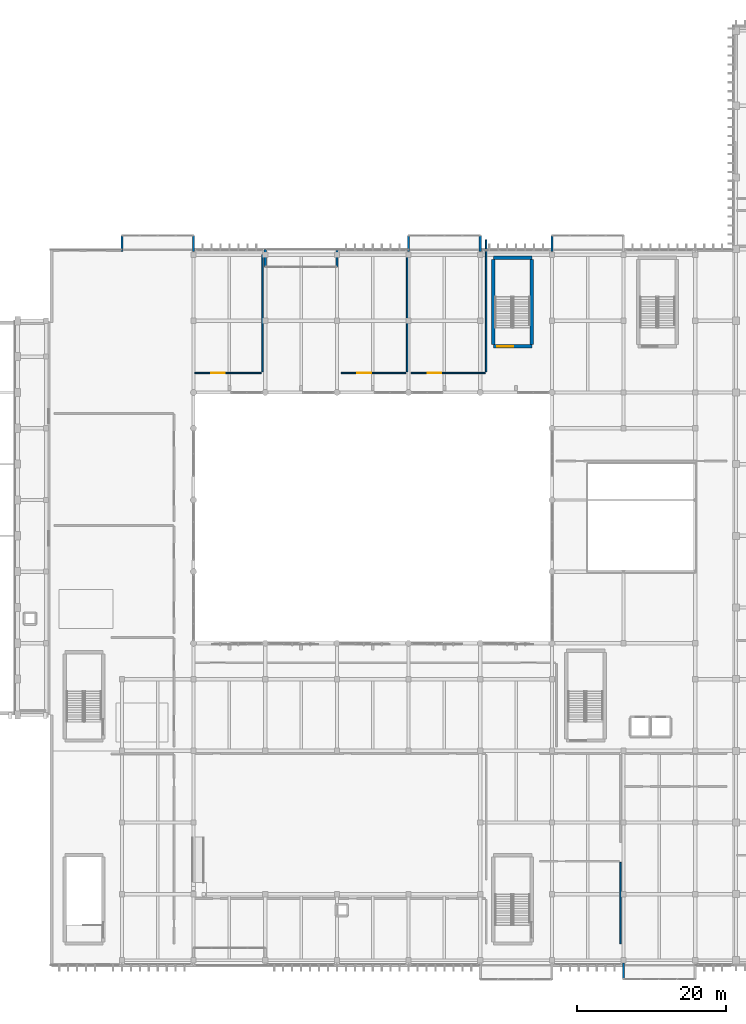
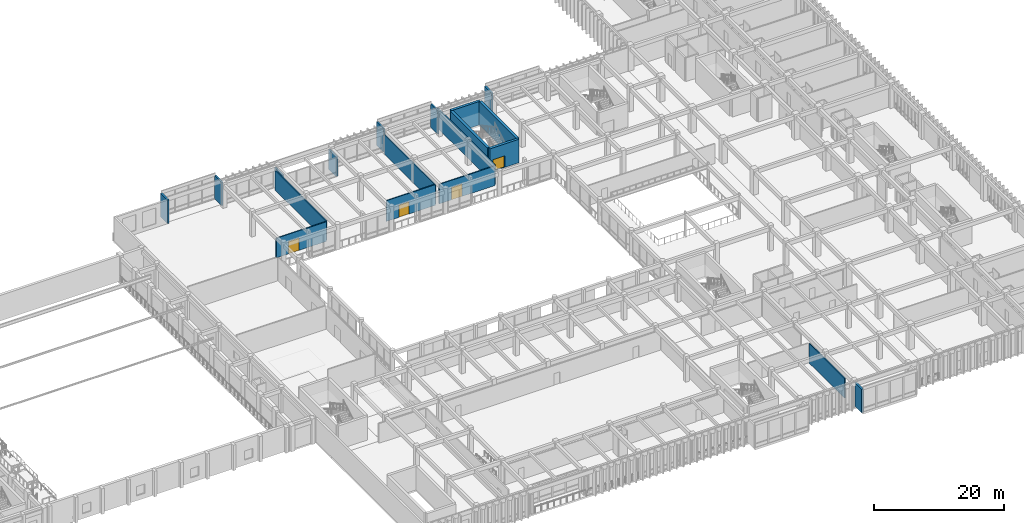
# One storey, part 102 of 133: 19 walls, 4 doors, 4 openings.
"""IFC4 building model written with IfcOpenShell, lengths in metres."""

from ifc_helpers import new_model, si_unit, direction, frame, frame_2d, origin, place, context, subcontext, project, spatial, rectangle, extrude, material, layer, layer_set, type_object, element, fill, save


model = new_model("IFC4")

# Units and contexts
model_context = context("Model", 3, precision=1e-05, world=origin(), true_north=direction((0.0, 1.0)))
body_context = subcontext(model_context, "Body", "Model", "MODEL_VIEW")
ifc_project = project(units=[si_unit("LENGTHUNIT", "METRE"), si_unit("AREAUNIT", "SQUARE_METRE"), si_unit("VOLUMEUNIT", "CUBIC_METRE"), si_unit("PLANEANGLEUNIT", "RADIAN"), si_unit("MASSUNIT", "GRAM", prefix="KILO")], contexts=[model_context])

# Site, building, storey
site_placement = place(None, origin())
site = spatial("IfcSite", under=ifc_project, at=site_placement, CompositionType="ELEMENT")
building_placement = place(site_placement, origin())
building = spatial("IfcBuilding", under=site, at=building_placement, Name="Nakhvara Creek Congress Hotel", CompositionType="ELEMENT")
storey_placement = place(building_placement, frame((0.0, 0.0, 11.39990234375)))
storey = spatial("IfcBuildingStorey", under=building, at=storey_placement, Name="L02", CompositionType="ELEMENT", Elevation=11.39990234375)

# Walls
ifc_material_1 = material(Name="Champagne-bronze anodised aluminium cassette", Category="aluminium")
ifc_layer_1 = layer(ifc_material_1, 0.030029296875)
ifc_material_2 = material(Name="Mineral wool thermal insulation")
ifc_layer_2 = layer(ifc_material_2, 0.10009765625)
ifc_material_3 = material(Name="Precast concrete C40/50", Category="concrete")
ifc_layer_3 = layer(ifc_material_3, 0.169921875)
ifc_layer_set_1 = layer_set([ifc_layer_1, ifc_layer_2, ifc_layer_3], Name="Precast concrete C40/50")
wall_type_1 = type_object("IfcWallType", Name="W-BOX-300", PredefinedType="SOLIDWALL", material=ifc_layer_set_1)
for number, where, z_axis, x_axis, name in (
    (1, (67.199951171875, 95.64990234375, 0.0), (0.0, 0.0, 1.0), (0.0, 1.0, 0.0), "Exterior Wall WE06-EW-L02-0068"),
    (2, (76.800048828125, 97.800048828125, 0.0), (0.0, 0.0, 1.0), (0.0, -1.0, 0.0), "Exterior Wall WE06-EW-L02-0069"),
    (3, (105.60009765625, 95.64990234375, 0.0), (0.0, 0.0, 1.0), (0.0, 1.0, 0.0), "Exterior Wall WE06-EW-L02-0070"),
    (4, (115.199951171875, 97.800048828125, 0.0), (0.0, 0.0, 1.0), (0.0, -1.0, 0.0), "Exterior Wall WE06-EW-L02-0071"),
    (5, (124.800048828125, 95.64990234375, 0.0), (0.0, 0.0, 1.0), (0.0, 1.0, 0.0), "Exterior Wall WE06-EW-L02-0072"),
):
    element("IfcWall", number, at=place(storey_placement, frame(where, z_axis=z_axis, x_axis=x_axis)), inside=storey, type_object=wall_type_1, Name=name, PredefinedType="SOLIDWALL", context=body_context, shape_type="SweptSolid", body=[
        extrude(rectangle(XDim=2.150146484375, YDim=0.300048828125, at=frame_2d((1.0751953125, 0.0))), origin(), (0.0, 0.0, 1.0), 4.420166015625),
    ])
for number, where, z_axis, x_axis, name in (
    (6, (86.39990234375, 95.949951171875, 0.0), (0.0, 0.0, 1.0), (0.0, -1.0, 0.0), "Exterior Wall WE06-EW-L02-0074"),
    (7, (96.0, 93.60009765625, 0.0), (0.0, 0.0, 1.0), (0.0, 1.0, 0.0), "Exterior Wall WE06-EW-L02-0075"),
):
    element("IfcWall", number, at=place(storey_placement, frame(where, z_axis=z_axis, x_axis=x_axis)), inside=storey, type_object=wall_type_1, Name=name, PredefinedType="SOLIDWALL", context=body_context, shape_type="SweptSolid", body=[
        extrude(rectangle(XDim=2.349853515625, YDim=0.300048828125, at=frame_2d((1.1748046875, 0.0))), origin(), (0.0, 0.0, 1.0), 3.692138671875),
    ])
wall_1_placement = place(storey_placement, frame((134.39990234375, -1.800048828125, 0.0), z_axis=(0.0, 0.0, 1.0), x_axis=(0.0, 1.0, 0.0)))
element("IfcWall", 8, at=wall_1_placement, inside=storey, type_object=wall_type_1, Name="Exterior Wall WE06-EW-L02-0082", PredefinedType="SOLIDWALL", context=body_context, shape_type="SweptSolid", body=[
    extrude(rectangle(XDim=2.150146484375, YDim=0.300048828125, at=frame_2d((1.0751953125, 0.0))), origin(), (0.0, 0.0, 1.0), 4.420166015625),
])

# Wall, opening, door
ifc_material_4 = material(Name="Concrete C50/60", Category="concrete")
ifc_layer_4 = layer(ifc_material_4, 0.449951171875)
ifc_layer_set_2 = layer_set([ifc_layer_4], Name="Concrete C50/60")
wall_type_2 = type_object("IfcWallType", Name="W-CORE-450", PredefinedType="SHEAR", material=ifc_layer_set_2)
wall_2_placement = place(storey_placement, frame((116.949951171875, 82.97998046875, 0.0), z_axis=(0.0, 0.0, 1.0), x_axis=(1.0, 0.0, 0.0)))
wall_2 = element("IfcWall", 9, at=wall_2_placement, inside=storey, type_object=wall_type_2, Name="Core Shear Wall WS02-CWALL-L02-0903", PredefinedType="SHEAR", context=body_context, shape_type="SweptSolid", body=[
    extrude(rectangle(XDim=5.150146484375, YDim=0.449951171875, at=frame_2d((2.5751953125, 0.0))), origin(), (0.0, 0.0, 1.0), 4.420166015625),
])
opening_1_placement = place(wall_2_placement, frame((0.550048828125, 0.0, 0.0)))
opening_1 = element("IfcOpeningElement", 10, at=opening_1_placement, cuts=wall_2, Name="Opening FD19", PredefinedType="OPENING", context=body_context, shape_type="SweptSolid", body=[
    extrude(rectangle(XDim=2.10009765625, YDim=2.199951171875, at=frame_2d((1.050048828125, 1.10009765625))), frame((0.0, 0.23681640625, 0.0), z_axis=(0.0, -1.0, 0.0), x_axis=(1.0, 0.0, 0.0)), (0.0, 0.0, 1.0), 0.473876953125),
])
ifc_material_5 = material(Name="Galvanised steel acoustic fire door", Category="steel")
door_type_1 = type_object("IfcDoorType", Name="DT-STAIR-220", OperationType="DOUBLE_DOOR_SINGLE_SWING", PredefinedType="DOOR", material=ifc_material_5)
door_1_placement = place(opening_1_placement, frame((2.10009765625, 0.0, 0.0), z_axis=(0.0, 0.0, 1.0), x_axis=(-1.0, 0.0, 0.0)))
door_1 = element("IfcDoor", 11, at=door_1_placement, inside=storey, type_object=door_type_1, Name="Stair Exit Door ST09-L02", OperationType="DOUBLE_DOOR_SINGLE_SWING", OverallHeight=2.199951171875, OverallWidth=2.10009765625, PredefinedType="DOOR", context=body_context, shape_type="SweptSolid", body=[
    extrude(rectangle(XDim=2.10009765625, YDim=2.199951171875, at=frame_2d((1.050048828125, 1.10009765625))), frame((0.0, 0.02490234375, 0.0), z_axis=(0.0, -1.0, 0.0), x_axis=(1.0, 0.0, 0.0)), (0.0, 0.0, 1.0), 0.050048828125),
])
fill(opening_1, door_1)

# Walls
wall_3_placement = place(storey_placement, frame((116.949951171875, 94.820068359375, 0.0), z_axis=(0.0, 0.0, 1.0), x_axis=(1.0, 0.0, 0.0)))
element("IfcWall", 12, at=wall_3_placement, inside=storey, type_object=wall_type_2, Name="Core Shear Wall WS02-CWALL-L02-0904", PredefinedType="SHEAR", context=body_context, shape_type="SweptSolid", body=[
    extrude(rectangle(XDim=5.150146484375, YDim=0.449951171875, at=frame_2d((2.5751953125, 0.0))), origin(), (0.0, 0.0, 1.0), 4.420166015625),
])
for number, where, z_axis, x_axis, name in (
    (13, (116.949951171875, 83.199951171875, 0.0), (0.0, 0.0, 1.0), (0.0, 1.0, 0.0), "Core Shear Wall WS02-CWALL-L02-0905"),
    (14, (122.10009765625, 83.199951171875, 0.0), (0.0, 0.0, 1.0), (0.0, 1.0, 0.0), "Core Shear Wall WS02-CWALL-L02-0906"),
):
    element("IfcWall", number, at=place(storey_placement, frame(where, z_axis=z_axis, x_axis=x_axis)), inside=storey, type_object=wall_type_2, Name=name, PredefinedType="SHEAR", context=body_context, shape_type="SweptSolid", body=[
        extrude(rectangle(XDim=11.400146484375, YDim=0.449951171875, at=frame_2d((5.7001953125, 0.0))), origin(), (0.0, 0.0, 1.0), 4.420166015625),
    ])

# Wall, opening, door
ifc_material_6 = material(Name="Gypsum acoustic board on steel stud", Category="steel")
ifc_layer_5 = layer(ifc_material_6, 0.179931640625)
ifc_layer_set_3 = layer_set([ifc_layer_5], Name="Gypsum acoustic board on steel stud")
wall_type_3 = type_object("IfcWallType", Name="W-MEET-180", PredefinedType="PARTITIONING", material=ifc_layer_set_3)
wall_4_placement = place(storey_placement, frame((76.949951171875, 79.39990234375, 0.0), z_axis=(0.0, 0.0, 1.0), x_axis=(1.0, 0.0, 0.0)))
wall_4 = element("IfcWall", 15, at=wall_4_placement, inside=storey, type_object=wall_type_3, Name="Interior Wall WP13-IW-L02-0132", PredefinedType="PARTITIONING", context=body_context, shape_type="SweptSolid", body=[
    extrude(rectangle(XDim=8.900146484375, YDim=0.179931640625, at=frame_2d((4.4501953125, 0.0))), origin(), (0.0, 0.0, 1.0), 3.692138671875),
])
opening_2_placement = place(wall_4_placement, frame((2.199951171875, 0.0, 0.0)))
opening_2 = element("IfcOpeningElement", 16, at=opening_2_placement, cuts=wall_4, Name="Opening MD01", PredefinedType="OPENING", context=body_context, shape_type="SweptSolid", body=[
    extrude(rectangle(XDim=1.85009765625, YDim=2.35009765625, at=frame_2d((0.925048828125, 1.175048828125))), frame((0.0, 0.10205078125, 0.0), z_axis=(0.0, -1.0, 0.0), x_axis=(1.0, 0.0, 0.0)), (0.0, 0.0, 1.0), 0.203857421875),
])
ifc_material_7 = material(Name="Acoustic walnut timber double door", Category="wood")
door_type_2 = type_object("IfcDoorType", Name="DT-MEET-185", OperationType="DOUBLE_DOOR_SINGLE_SWING", PredefinedType="DOOR", material=ifc_material_7)
door_2_placement = place(opening_2_placement, frame((1.85009765625, 0.0, 0.0), z_axis=(0.0, 0.0, 1.0), x_axis=(-1.0, 0.0, 0.0)))
door_2 = element("IfcDoor", 17, at=door_2_placement, inside=storey, type_object=door_type_2, Name="Interior Door MD01-0132", OperationType="DOUBLE_DOOR_SINGLE_SWING", OverallHeight=2.35009765625, OverallWidth=1.85009765625, PredefinedType="DOOR", context=body_context, shape_type="SweptSolid", body=[
    extrude(rectangle(XDim=1.85009765625, YDim=2.35009765625, at=frame_2d((0.925048828125, 1.175048828125))), frame((0.0, 0.02490234375, 0.0), z_axis=(0.0, -1.0, 0.0), x_axis=(1.0, 0.0, 0.0)), (0.0, 0.0, 1.0), 0.050048828125),
])
fill(opening_2, door_2)

wall_5_placement = place(storey_placement, frame((96.550048828125, 79.39990234375, 0.0), z_axis=(0.0, 0.0, 1.0), x_axis=(1.0, 0.0, 0.0)))
wall_5 = element("IfcWall", 18, at=wall_5_placement, inside=storey, type_object=wall_type_3, Name="Interior Wall WP13-IW-L02-0134", PredefinedType="PARTITIONING", context=body_context, shape_type="SweptSolid", body=[
    extrude(rectangle(XDim=8.699951171875, YDim=0.179931640625, at=frame_2d((4.35009765625, 0.0))), origin(), (0.0, 0.0, 1.0), 3.89208984375),
])
opening_3_placement = place(wall_5_placement, frame((2.199951171875, 0.0, 0.0)))
opening_3 = element("IfcOpeningElement", 19, at=opening_3_placement, cuts=wall_5, Name="Opening MD01", PredefinedType="OPENING", context=body_context, shape_type="SweptSolid", body=[
    extrude(rectangle(XDim=1.85009765625, YDim=2.35009765625, at=frame_2d((0.925048828125, 1.175048828125))), frame((0.0, 0.10205078125, 0.0), z_axis=(0.0, -1.0, 0.0), x_axis=(1.0, 0.0, 0.0)), (0.0, 0.0, 1.0), 0.203857421875),
])
door_3_placement = place(opening_3_placement, frame((1.85009765625, 0.0, 0.0), z_axis=(0.0, 0.0, 1.0), x_axis=(-1.0, 0.0, 0.0)))
door_3 = element("IfcDoor", 20, at=door_3_placement, inside=storey, type_object=door_type_2, Name="Interior Door MD01-0133", OperationType="DOUBLE_DOOR_SINGLE_SWING", OverallHeight=2.35009765625, OverallWidth=1.85009765625, PredefinedType="DOOR", context=body_context, shape_type="SweptSolid", body=[
    extrude(rectangle(XDim=1.85009765625, YDim=2.35009765625, at=frame_2d((0.925048828125, 1.175048828125))), frame((0.0, 0.02490234375, 0.0), z_axis=(0.0, -1.0, 0.0), x_axis=(1.0, 0.0, 0.0)), (0.0, 0.0, 1.0), 0.050048828125),
])
fill(opening_3, door_3)

wall_6_placement = place(storey_placement, frame((105.949951171875, 79.39990234375, 0.0), z_axis=(0.0, 0.0, 1.0), x_axis=(1.0, 0.0, 0.0)))
wall_6 = element("IfcWall", 21, at=wall_6_placement, inside=storey, type_object=wall_type_3, Name="Interior Wall WP13-IW-L02-0136", PredefinedType="PARTITIONING", context=body_context, shape_type="SweptSolid", body=[
    extrude(rectangle(XDim=9.900146484375, YDim=0.179931640625, at=frame_2d((4.9501953125, 0.0))), origin(), (0.0, 0.0, 1.0), 3.692138671875),
])
opening_4_placement = place(wall_6_placement, frame((2.199951171875, 0.0, 0.0)))
opening_4 = element("IfcOpeningElement", 22, at=opening_4_placement, cuts=wall_6, Name="Opening MD01", PredefinedType="OPENING", context=body_context, shape_type="SweptSolid", body=[
    extrude(rectangle(XDim=1.85009765625, YDim=2.35009765625, at=frame_2d((0.925048828125, 1.175048828125))), frame((0.0, 0.10205078125, 0.0), z_axis=(0.0, -1.0, 0.0), x_axis=(1.0, 0.0, 0.0)), (0.0, 0.0, 1.0), 0.203857421875),
])
door_4_placement = place(opening_4_placement, frame((1.85009765625, 0.0, 0.0), z_axis=(0.0, 0.0, 1.0), x_axis=(-1.0, 0.0, 0.0)))
door_4 = element("IfcDoor", 23, at=door_4_placement, inside=storey, type_object=door_type_2, Name="Interior Door MD01-0134", OperationType="DOUBLE_DOOR_SINGLE_SWING", OverallHeight=2.35009765625, OverallWidth=1.85009765625, PredefinedType="DOOR", context=body_context, shape_type="SweptSolid", body=[
    extrude(rectangle(XDim=1.85009765625, YDim=2.35009765625, at=frame_2d((0.925048828125, 1.175048828125))), frame((0.0, 0.02490234375, 0.0), z_axis=(0.0, -1.0, 0.0), x_axis=(1.0, 0.0, 0.0)), (0.0, 0.0, 1.0), 0.050048828125),
])
fill(opening_4, door_4)

# Walls
wall_7_placement = place(storey_placement, frame((134.0, 2.949951171875, 0.0), z_axis=(0.0, 0.0, 1.0), x_axis=(0.0, 1.0, 0.0)))
element("IfcWall", 24, at=wall_7_placement, inside=storey, type_object=wall_type_3, Name="Interior Wall WP13-IW-L02-0148", PredefinedType="PARTITIONING", context=body_context, shape_type="SweptSolid", body=[
    extrude(rectangle(XDim=10.900146484375, YDim=0.179931640625, at=frame_2d((5.4501953125, 0.0))), origin(), (0.0, 0.0, 1.0), 3.692138671875),
])
ifc_layer_6 = layer(ifc_material_6, 0.199951171875)
ifc_layer_set_4 = layer_set([ifc_layer_6], Name="Gypsum acoustic board on steel stud")
wall_type_4 = type_object("IfcWallType", Name="W-PART-200", PredefinedType="PARTITIONING", material=ifc_layer_set_4)
for number, where, z_axis, x_axis, name in (
    (25, (86.0, 79.550048828125, 0.0), (0.0, 0.0, 1.0), (0.0, 1.0, 0.0), "Interior Wall WP12-IW-L02-0133"),
    (26, (105.39990234375, 79.550048828125, 0.0), (0.0, 0.0, 1.0), (0.0, 1.0, 0.0), "Interior Wall WP12-IW-L02-0135"),
):
    element("IfcWall", number, at=place(storey_placement, frame(where, z_axis=z_axis, x_axis=x_axis)), inside=storey, type_object=wall_type_4, Name=name, PredefinedType="PARTITIONING", context=body_context, shape_type="SweptSolid", body=[
        extrude(rectangle(XDim=15.699951171875, YDim=0.199951171875, at=frame_2d((7.85009765625, 0.0))), origin(), (0.0, 0.0, 1.0), 3.692138671875),
    ])
wall_8_placement = place(storey_placement, frame((116.0, 79.550048828125, 0.0), z_axis=(0.0, 0.0, 1.0), x_axis=(0.0, 1.0, 0.0)))
element("IfcWall", 27, at=wall_8_placement, inside=storey, type_object=wall_type_4, Name="Interior Wall WP12-IW-L02-0137", PredefinedType="PARTITIONING", context=body_context, shape_type="SweptSolid", body=[
    extrude(rectangle(XDim=17.699951171875, YDim=0.199951171875, at=frame_2d((8.85009765625, 0.0))), origin(), (0.0, 0.0, 1.0), 3.692138671875),
])

save(model, "model.ifc")
